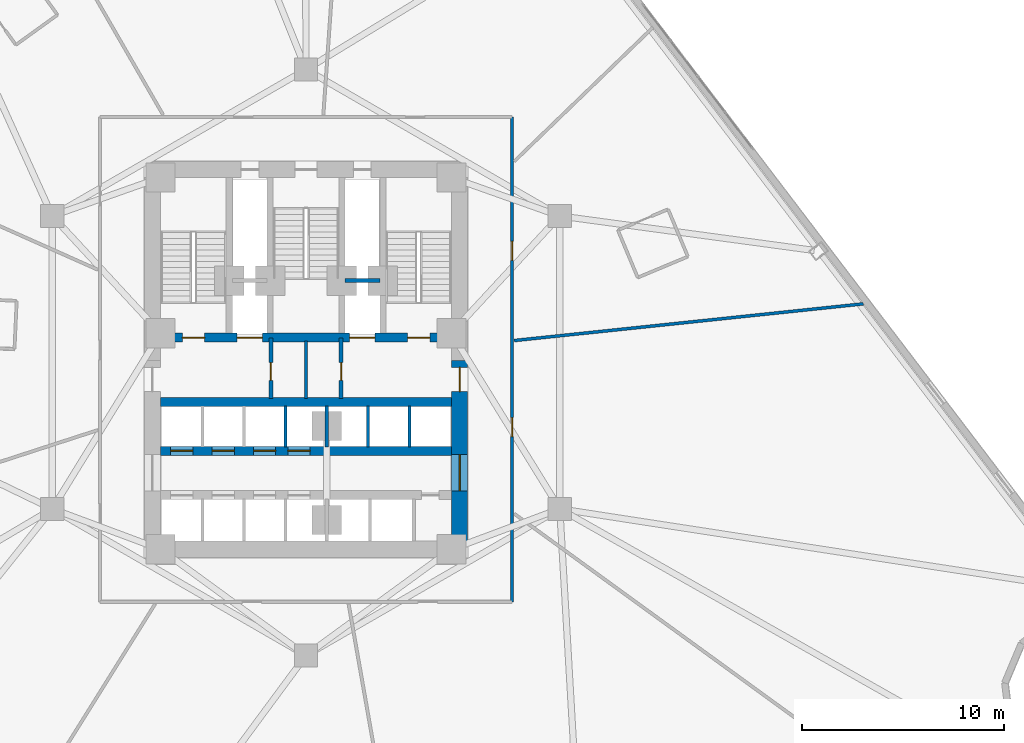
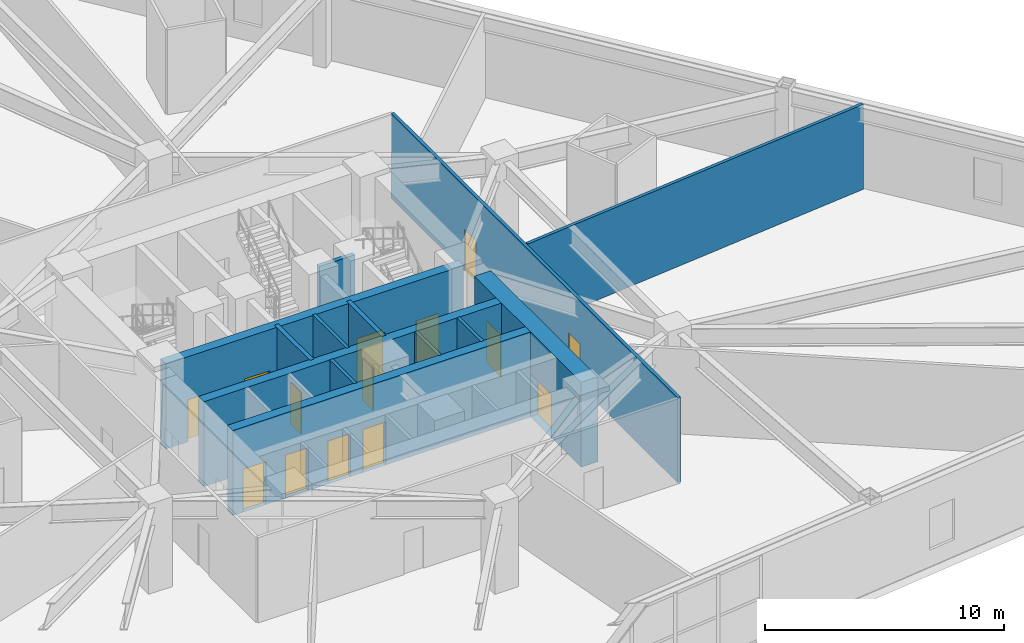
# One storey, part 13 of 21: 14 doors, 14 walls, 14 openings.
"""IFC4 building model written with IfcOpenShell, lengths in metres."""

from ifc_helpers import new_model, si_unit, direction, frame, frame_2d, origin, place, context, subcontext, project, spatial, rectangle, extrude, material, layer, layer_set, type_object, element, fill, save


model = new_model("IFC4")

# Units and contexts
model_context = context("Model", 3, precision=1e-05, world=origin(), true_north=direction((0.0, 1.0)))
body_context = subcontext(model_context, "Body", "Model", "MODEL_VIEW")
ifc_project = project(units=[si_unit("LENGTHUNIT", "METRE"), si_unit("AREAUNIT", "SQUARE_METRE"), si_unit("VOLUMEUNIT", "CUBIC_METRE"), si_unit("PLANEANGLEUNIT", "RADIAN"), si_unit("MASSUNIT", "GRAM", prefix="KILO")], contexts=[model_context])

# Site, building, storey
site_placement = place(None, origin())
site = spatial("IfcSite", under=ifc_project, at=site_placement, CompositionType="ELEMENT")
building_placement = place(site_placement, origin())
building = spatial("IfcBuilding", under=site, at=building_placement, Name="Apsidion Concourse Tower", CompositionType="ELEMENT")
storey_placement = place(building_placement, frame((0.0, 0.0, 62.39990234375)))
storey = spatial("IfcBuildingStorey", under=building, at=storey_placement, Name="L13", CompositionType="ELEMENT", Elevation=62.39990234375)

# Walls
ifc_material_1 = material(Name="Gypsum plasterboard partition")
ifc_layer_1 = layer(ifc_material_1, 0.14990234375)
ifc_layer_set_1 = layer_set([ifc_layer_1], Name="Gypsum plasterboard partition")
wall_type_1 = type_object("IfcWallType", Name="WL-INT-PAR-150", PredefinedType="PARTITIONING", material=ifc_layer_set_1)
for number, where, z_axis, x_axis, name in (
    (1, (-1.02490234375, -4.179931640625, 0.0), (0.0, 0.0, 1.0), (0.0, 1.0, 0.0), "L13 Interior Partition WL-L13-B1DIV-3"),
    (2, (3.074951171875, -4.179931640625, 0.0), (0.0, 0.0, 1.0), (0.0, 1.0, 0.0), "L13 Interior Partition WL-L13-B3DIV-1"),
    (3, (5.125, -4.179931640625, 0.0), (0.0, 0.0, 1.0), (0.0, 1.0, 0.0), "L13 Interior Partition WL-L13-B3DIV-2"),
):
    element("IfcWall", number, at=place(storey_placement, frame(where, z_axis=z_axis, x_axis=x_axis)), inside=storey, type_object=wall_type_1, Name=name, PredefinedType="PARTITIONING", context=body_context, shape_type="SweptSolid", body=[
        extrude(rectangle(XDim=2.030029296875, YDim=0.14990234375, at=frame_2d((1.01513671875, 0.0))), origin(), (0.0, 0.0, 1.0), 4.35009765625),
    ])
wall_1_placement = place(storey_placement, frame((0.0, -1.780029296875, 0.0), z_axis=(0.0, 0.0, 1.0), x_axis=(0.0, 1.0, 0.0)))
element("IfcWall", 4, at=wall_1_placement, inside=storey, type_object=wall_type_1, Name="L13 Interior Partition WL-L13-K3V", PredefinedType="PARTITIONING", context=body_context, shape_type="SweptSolid", body=[
    extrude(rectangle(XDim=2.830078125, YDim=0.14990234375, at=frame_2d((1.4150390625, 0.0))), origin(), (0.0, 0.0, 1.0), 4.35009765625),
])

# Wall, openings, doors
wall_2_placement = place(storey_placement, frame((10.199951171875, 12.14990234375, 0.0), z_axis=(0.0, 0.0, 1.0), x_axis=(0.0, -1.0, 0.0)))
wall_2 = element("IfcWall", 5, at=wall_2_placement, inside=storey, type_object=wall_type_1, Name="L13 Interior Partition WL-L13-CORR-02", PredefinedType="PARTITIONING", context=body_context, shape_type="SweptSolid", body=[
    extrude(rectangle(XDim=24.0, YDim=0.14990234375, at=frame_2d((12.0, 0.0))), origin(), (0.0, 0.0, 1.0), 4.35009765625),
])
opening_1_placement = place(wall_2_placement, frame((14.87548828125, 0.0, 0.0)))
opening_1 = element("IfcOpeningElement", 6, at=opening_1_placement, cuts=wall_2, Name="Opening D-01L", PredefinedType="OPENING", context=body_context, shape_type="SweptSolid", body=[
    extrude(rectangle(XDim=0.949951171875, YDim=2.14990234375, at=frame_2d((0.47509765625, 1.074951171875))), frame((0.0, 0.0849609375, 0.0), z_axis=(0.0, -1.0, 0.0), x_axis=(1.0, 0.0, 0.0)), (0.0, 0.0, 1.0), 0.169921875),
])
opening_2_placement = place(wall_2_placement, frame((6.15380859375, 0.0, 0.0)))
opening_2 = element("IfcOpeningElement", 7, at=opening_2_placement, cuts=wall_2, Name="Opening D-01R", PredefinedType="OPENING", context=body_context, shape_type="SweptSolid", body=[
    extrude(rectangle(XDim=0.949951171875, YDim=2.14990234375, at=frame_2d((0.47509765625, 1.074951171875))), frame((0.0, 0.0849609375, 0.0), z_axis=(0.0, -1.0, 0.0), x_axis=(1.0, 0.0, 0.0)), (0.0, 0.0, 1.0), 0.169921875),
])
ifc_material_2 = material(Name="Brushed stainless steel 316", Category="steel")
door_type_1 = type_object("IfcDoorType", Name="DR-INT-D01L", OperationType="SINGLE_SWING_LEFT", PredefinedType="DOOR", material=ifc_material_2)
door_1_placement = place(opening_1_placement, origin())
door_1 = element("IfcDoor", 8, at=door_1_placement, inside=storey, type_object=door_type_1, Name="L13 Corridor Entry Door 05", OperationType="SINGLE_SWING_LEFT", OverallHeight=2.14990234375, OverallWidth=0.949951171875, PredefinedType="DOOR", context=body_context, shape_type="SweptSolid", body=[
    extrude(rectangle(XDim=0.949951171875, YDim=2.14990234375, at=frame_2d((0.47509765625, 1.074951171875))), frame((0.0, 0.02490234375, 0.0), z_axis=(0.0, -1.0, 0.0), x_axis=(1.0, 0.0, 0.0)), (0.0, 0.0, 1.0), 0.050048828125),
])
fill(opening_1, door_1)
door_type_2 = type_object("IfcDoorType", Name="DR-INT-D01R", OperationType="SINGLE_SWING_RIGHT", PredefinedType="DOOR", material=ifc_material_2)
door_2_placement = place(opening_2_placement, origin())
door_2 = element("IfcDoor", 9, at=door_2_placement, inside=storey, type_object=door_type_2, Name="L13 Corridor Entry Door 06", OperationType="SINGLE_SWING_RIGHT", OverallHeight=2.14990234375, OverallWidth=0.949951171875, PredefinedType="DOOR", context=body_context, shape_type="SweptSolid", body=[
    extrude(rectangle(XDim=0.949951171875, YDim=2.14990234375, at=frame_2d((0.47509765625, 1.074951171875))), frame((0.0, 0.02490234375, 0.0), z_axis=(0.0, -1.0, 0.0), x_axis=(1.0, 0.0, 0.0)), (0.0, 0.0, 1.0), 0.050048828125),
])
fill(opening_2, door_2)

# Walls
wall_3_placement = place(storey_placement, frame((10.304931640625, 1.0830078125, 0.0), z_axis=(0.0, 0.0, 1.0), x_axis=(0.994521458831, 0.104532616559, 0.0)))
element("IfcWall", 10, at=wall_3_placement, inside=storey, type_object=wall_type_1, Name="L13 Interior Partition WL-L13-RAD-01-1", PredefinedType="PARTITIONING", context=body_context, shape_type="SweptSolid", body=[
    extrude(rectangle(XDim=17.371826171875, YDim=0.14990234375, at=frame_2d((8.68603515625, 0.0))), origin(), (0.0, 0.0, 1.0), 4.35009765625),
])
ifc_layer_2 = layer(ifc_material_1, 0.179931640625)
ifc_layer_set_2 = layer_set([ifc_layer_2], Name="Gypsum plasterboard partition")
wall_type_2 = type_object("IfcWallType", Name="WL-INT-PAR-180", PredefinedType="PARTITIONING", material=ifc_layer_set_2)
wall_4_placement = place(storey_placement, frame((1.02490234375, -4.179931640625, 0.0), z_axis=(0.0, 0.0, 1.0), x_axis=(0.0, 1.0, 0.0)))
element("IfcWall", 11, at=wall_4_placement, inside=storey, type_object=wall_type_2, Name="L13 Interior Partition WL-L13-B1END", PredefinedType="PARTITIONING", context=body_context, shape_type="SweptSolid", body=[
    extrude(rectangle(XDim=2.030029296875, YDim=0.179931640625, at=frame_2d((1.01513671875, 0.0))), origin(), (0.0, 0.0, 1.0), 3.398193359375),
])
ifc_layer_3 = layer(ifc_material_1, 0.199951171875)
ifc_layer_set_3 = layer_set([ifc_layer_3], Name="Gypsum plasterboard partition")
wall_type_3 = type_object("IfcWallType", Name="WL-INT-PAR-200", PredefinedType="PARTITIONING", material=ifc_layer_set_3)
wall_5_placement = place(storey_placement, frame((1.919921875, 4.050048828125, 0.0), z_axis=(0.0, 0.0, 1.0), x_axis=(1.0, 0.0, 0.0)))
element("IfcWall", 12, at=wall_5_placement, inside=storey, type_object=wall_type_3, Name="L13 Interior Partition WL-L13-FF2-N", PredefinedType="PARTITIONING", context=body_context, shape_type="SweptSolid", body=[
    extrude(rectangle(XDim=1.72998046875, YDim=0.199951171875, at=frame_2d((0.864990234375, 0.0))), origin(), (0.0, 0.0, 1.0), 4.35009765625),
])

# Wall, opening, door
wall_6_placement = place(storey_placement, frame((-1.739990234375, -1.780029296875, 0.0), z_axis=(0.0, 0.0, 1.0), x_axis=(0.0, 1.0, 0.0)))
wall_6 = element("IfcWall", 13, at=wall_6_placement, inside=storey, type_object=wall_type_3, Name="L13 Interior Partition WL-L13-FF1-E", PredefinedType="PARTITIONING", context=body_context, shape_type="SweptSolid", body=[
    extrude(rectangle(XDim=2.97998046875, YDim=0.199951171875, at=frame_2d((1.489990234375, 0.0))), origin(), (0.0, 0.0, 1.0), 4.35009765625),
])
opening_3_placement = place(wall_6_placement, frame((0.889892578125, 0.0, 0.0)))
opening_3 = element("IfcOpeningElement", 14, at=opening_3_placement, cuts=wall_6, Name="Opening D-05R", PredefinedType="OPENING", context=body_context, shape_type="SweptSolid", body=[
    extrude(rectangle(XDim=0.8798828125, YDim=2.14990234375, at=frame_2d((0.43994140625, 1.074951171875))), frame((0.0, 0.10986328125, 0.0), z_axis=(0.0, -1.0, 0.0), x_axis=(1.0, 0.0, 0.0)), (0.0, 0.0, 1.0), 0.219970703125),
])
door_type_3 = type_object("IfcDoorType", Name="DR-INT-D05R", OperationType="SINGLE_SWING_RIGHT", PredefinedType="DOOR", material=ifc_material_2)
door_3_placement = place(opening_3_placement, origin())
door_3 = element("IfcDoor", 15, at=door_3_placement, inside=storey, type_object=door_type_3, Name="L13 Core Pantry Door", OperationType="SINGLE_SWING_RIGHT", OverallHeight=2.14990234375, OverallWidth=0.8798828125, PredefinedType="DOOR", context=body_context, shape_type="SweptSolid", body=[
    extrude(rectangle(XDim=0.8798828125, YDim=2.14990234375, at=frame_2d((0.43994140625, 1.074951171875))), frame((0.0, 0.02490234375, 0.0), z_axis=(0.0, -1.0, 0.0), x_axis=(1.0, 0.0, 0.0)), (0.0, 0.0, 1.0), 0.050048828125),
])
fill(opening_3, door_3)

wall_7_placement = place(storey_placement, frame((1.739990234375, -1.780029296875, 0.0), z_axis=(0.0, 0.0, 1.0), x_axis=(0.0, 1.0, 0.0)))
wall_7 = element("IfcWall", 16, at=wall_7_placement, inside=storey, type_object=wall_type_3, Name="L13 Interior Partition WL-L13-FF2-W", PredefinedType="PARTITIONING", context=body_context, shape_type="SweptSolid", body=[
    extrude(rectangle(XDim=2.97998046875, YDim=0.199951171875, at=frame_2d((1.489990234375, 0.0))), origin(), (0.0, 0.0, 1.0), 4.35009765625),
])
opening_4_placement = place(wall_7_placement, frame((0.889892578125, 0.0, 0.0)))
opening_4 = element("IfcOpeningElement", 17, at=opening_4_placement, cuts=wall_7, Name="Opening D-05L", PredefinedType="OPENING", context=body_context, shape_type="SweptSolid", body=[
    extrude(rectangle(XDim=0.8798828125, YDim=2.14990234375, at=frame_2d((0.43994140625, 1.074951171875))), frame((0.0, 0.10986328125, 0.0), z_axis=(0.0, -1.0, 0.0), x_axis=(1.0, 0.0, 0.0)), (0.0, 0.0, 1.0), 0.219970703125),
])
door_type_4 = type_object("IfcDoorType", Name="DR-INT-D05L", OperationType="SINGLE_SWING_LEFT", PredefinedType="DOOR", material=ifc_material_2)
door_4_placement = place(opening_4_placement, origin())
door_4 = element("IfcDoor", 18, at=door_4_placement, inside=storey, type_object=door_type_4, Name="L13 Core Electrical Door", OperationType="SINGLE_SWING_LEFT", OverallHeight=2.14990234375, OverallWidth=0.8798828125, PredefinedType="DOOR", context=body_context, shape_type="SweptSolid", body=[
    extrude(rectangle(XDim=0.8798828125, YDim=2.14990234375, at=frame_2d((0.43994140625, 1.074951171875))), frame((0.0, 0.02490234375, 0.0), z_axis=(0.0, -1.0, 0.0), x_axis=(1.0, 0.0, 0.0)), (0.0, 0.0, 1.0), 0.050048828125),
])
fill(opening_4, door_4)

# Wall, openings, doors
ifc_material_3 = material(Name="Concrete C60/75", Category="concrete")
ifc_layer_4 = layer(ifc_material_3, 0.449951171875)
ifc_layer_set_4 = layer_set([ifc_layer_4], Name="Concrete C60/75")
wall_type_4 = type_object("IfcWallType", Name="WL-SH-450", PredefinedType="SHEAR", material=ifc_layer_set_4)
wall_8_placement = place(storey_placement, frame((-7.199951171875, 1.22509765625, 0.0), z_axis=(0.0, 0.0, 1.0), x_axis=(1.0, 0.0, 0.0)))
wall_8 = element("IfcWall", 19, at=wall_8_placement, inside=storey, type_object=wall_type_4, Name="L13 Central Core Shear Wall M1", PredefinedType="SHEAR", context=body_context, shape_type="SweptSolid", body=[
    extrude(rectangle(XDim=14.39990234375, YDim=0.449951171875, at=frame_2d((7.199951171875, 0.0))), origin(), (0.0, 0.0, 1.0), 4.35009765625),
])
opening_5_placement = place(wall_8_placement, frame((3.794921875, 0.0, 0.0)))
opening_5 = element("IfcOpeningElement", 20, at=opening_5_placement, cuts=wall_8, Name="Opening LD-FF", PredefinedType="OPENING", context=body_context, shape_type="SweptSolid", body=[
    extrude(rectangle(XDim=1.25, YDim=2.25, at=frame_2d((0.625, 1.125))), frame((0.0, 0.23486328125, 0.0), z_axis=(0.0, -1.0, 0.0), x_axis=(1.0, 0.0, 0.0)), (0.0, 0.0, 1.0), 0.469970703125),
])
opening_6_placement = place(wall_8_placement, frame((9.35498046875, 0.0, 0.0)))
opening_6 = element("IfcOpeningElement", 21, at=opening_6_placement, cuts=wall_8, Name="Opening LD-FF", PredefinedType="OPENING", context=body_context, shape_type="SweptSolid", body=[
    extrude(rectangle(XDim=1.25, YDim=2.25, at=frame_2d((0.625, 1.125))), frame((0.0, 0.23486328125, 0.0), z_axis=(0.0, -1.0, 0.0), x_axis=(1.0, 0.0, 0.0)), (0.0, 0.0, 1.0), 0.469970703125),
])
opening_7_placement = place(wall_8_placement, frame((1.074951171875, 0.0, 0.0)))
opening_7 = element("IfcOpeningElement", 22, at=opening_7_placement, cuts=wall_8, Name="Opening D-STL", PredefinedType="OPENING", context=body_context, shape_type="SweptSolid", body=[
    extrude(rectangle(XDim=1.10009765625, YDim=2.14990234375, at=frame_2d((0.550048828125, 1.074951171875))), frame((0.0, 0.23486328125, 0.0), z_axis=(0.0, -1.0, 0.0), x_axis=(1.0, 0.0, 0.0)), (0.0, 0.0, 1.0), 0.469970703125),
])
opening_8_placement = place(wall_8_placement, frame((12.22509765625, 0.0, 0.0)))
opening_8 = element("IfcOpeningElement", 23, at=opening_8_placement, cuts=wall_8, Name="Opening D-STR", PredefinedType="OPENING", context=body_context, shape_type="SweptSolid", body=[
    extrude(rectangle(XDim=1.10009765625, YDim=2.14990234375, at=frame_2d((0.550048828125, 1.074951171875))), frame((0.0, 0.23486328125, 0.0), z_axis=(0.0, -1.0, 0.0), x_axis=(1.0, 0.0, 0.0)), (0.0, 0.0, 1.0), 0.469970703125),
])
door_type_5 = type_object("IfcDoorType", Name="DR-INT-ST1L", OperationType="SINGLE_SWING_LEFT", PredefinedType="DOOR", material=ifc_material_2)
door_5_placement = place(opening_7_placement, origin())
door_5 = element("IfcDoor", 24, at=door_5_placement, inside=storey, type_object=door_type_5, Name="L13 Core Exit Stair ST1 Door", OperationType="SINGLE_SWING_LEFT", OverallHeight=2.14990234375, OverallWidth=1.10009765625, PredefinedType="DOOR", context=body_context, shape_type="SweptSolid", body=[
    extrude(rectangle(XDim=1.10009765625, YDim=2.14990234375, at=frame_2d((0.550048828125, 1.074951171875))), frame((0.0, 0.02490234375, 0.0), z_axis=(0.0, -1.0, 0.0), x_axis=(1.0, 0.0, 0.0)), (0.0, 0.0, 1.0), 0.050048828125),
])
fill(opening_7, door_5)
door_type_6 = type_object("IfcDoorType", Name="DR-INT-ST1R", OperationType="SINGLE_SWING_RIGHT", PredefinedType="DOOR", material=ifc_material_2)
door_6_placement = place(opening_8_placement, origin())
door_6 = element("IfcDoor", 25, at=door_6_placement, inside=storey, type_object=door_type_6, Name="L13 Core Exit Stair ST2 Door", OperationType="SINGLE_SWING_RIGHT", OverallHeight=2.14990234375, OverallWidth=1.10009765625, PredefinedType="DOOR", context=body_context, shape_type="SweptSolid", body=[
    extrude(rectangle(XDim=1.10009765625, YDim=2.14990234375, at=frame_2d((0.550048828125, 1.074951171875))), frame((0.0, 0.02490234375, 0.0), z_axis=(0.0, -1.0, 0.0), x_axis=(1.0, 0.0, 0.0)), (0.0, 0.0, 1.0), 0.050048828125),
])
fill(opening_8, door_6)
door_type_7 = type_object("IfcDoorType", Name="DR-LD-FSAE", OperationType="DOUBLE_DOOR_SLIDING", PredefinedType="DOOR", material=ifc_material_2)
door_7_placement = place(opening_5_placement, origin())
door_7 = element("IfcDoor", 26, at=door_7_placement, inside=storey, type_object=door_type_7, Name="L13 Lift Landing Door FF1", OperationType="DOUBLE_DOOR_SLIDING", OverallHeight=2.25, OverallWidth=1.25, PredefinedType="DOOR", context=body_context, shape_type="SweptSolid", body=[
    extrude(rectangle(XDim=1.25, YDim=2.25, at=frame_2d((0.625, 1.125))), frame((0.0, 0.02490234375, 0.0), z_axis=(0.0, -1.0, 0.0), x_axis=(1.0, 0.0, 0.0)), (0.0, 0.0, 1.0), 0.050048828125),
])
fill(opening_5, door_7)
door_8_placement = place(opening_6_placement, origin())
door_8 = element("IfcDoor", 27, at=door_8_placement, inside=storey, type_object=door_type_7, Name="L13 Lift Landing Door FF2", OperationType="DOUBLE_DOOR_SLIDING", OverallHeight=2.25, OverallWidth=1.25, PredefinedType="DOOR", context=body_context, shape_type="SweptSolid", body=[
    extrude(rectangle(XDim=1.25, YDim=2.25, at=frame_2d((0.625, 1.125))), frame((0.0, 0.02490234375, 0.0), z_axis=(0.0, -1.0, 0.0), x_axis=(1.0, 0.0, 0.0)), (0.0, 0.0, 1.0), 0.050048828125),
])
fill(opening_6, door_8)

# Wall
wall_9_placement = place(storey_placement, frame((-7.199951171875, -1.949951171875, 0.0), z_axis=(0.0, 0.0, 1.0), x_axis=(1.0, 0.0, 0.0)))
element("IfcWall", 28, at=wall_9_placement, inside=storey, type_object=wall_type_4, Name="L13 Central Core Shear Wall M2", PredefinedType="SHEAR", context=body_context, shape_type="SweptSolid", body=[
    extrude(rectangle(XDim=14.39990234375, YDim=0.449951171875, at=frame_2d((7.199951171875, 0.0))), origin(), (0.0, 0.0, 1.0), 4.35009765625),
])

# Wall, openings, doors
wall_10_placement = place(storey_placement, frame((-7.199951171875, -4.3798828125, 0.0), z_axis=(0.0, 0.0, 1.0), x_axis=(1.0, 0.0, 0.0)))
wall_10 = element("IfcWall", 29, at=wall_10_placement, inside=storey, type_object=wall_type_4, Name="L13 Central Core Shear Wall LA", PredefinedType="SHEAR", context=body_context, shape_type="SweptSolid", body=[
    extrude(rectangle(XDim=14.39990234375, YDim=0.449951171875, at=frame_2d((7.199951171875, 0.0))), origin(), (0.0, 0.0, 1.0), 4.35009765625),
])
opening_9_placement = place(wall_10_placement, frame((0.5, 0.0, 0.0)))
opening_9 = element("IfcOpeningElement", 30, at=opening_9_placement, cuts=wall_10, Name="Opening LD-P1", PredefinedType="OPENING", context=body_context, shape_type="SweptSolid", body=[
    extrude(rectangle(XDim=1.10009765625, YDim=2.199951171875, at=frame_2d((0.550048828125, 1.10009765625))), frame((0.0, 0.23486328125, 0.0), z_axis=(0.0, -1.0, 0.0), x_axis=(1.0, 0.0, 0.0)), (0.0, 0.0, 1.0), 0.469970703125),
])
opening_10_placement = place(wall_10_placement, frame((2.550048828125, 0.0, 0.0)))
opening_10 = element("IfcOpeningElement", 31, at=opening_10_placement, cuts=wall_10, Name="Opening LD-P1", PredefinedType="OPENING", context=body_context, shape_type="SweptSolid", body=[
    extrude(rectangle(XDim=1.10009765625, YDim=2.199951171875, at=frame_2d((0.550048828125, 1.10009765625))), frame((0.0, 0.23486328125, 0.0), z_axis=(0.0, -1.0, 0.0), x_axis=(1.0, 0.0, 0.0)), (0.0, 0.0, 1.0), 0.469970703125),
])
opening_11_placement = place(wall_10_placement, frame((4.60009765625, 0.0, 0.0)))
opening_11 = element("IfcOpeningElement", 32, at=opening_11_placement, cuts=wall_10, Name="Opening LD-P1", PredefinedType="OPENING", context=body_context, shape_type="SweptSolid", body=[
    extrude(rectangle(XDim=1.10009765625, YDim=2.199951171875, at=frame_2d((0.550048828125, 1.10009765625))), frame((0.0, 0.23486328125, 0.0), z_axis=(0.0, -1.0, 0.0), x_axis=(1.0, 0.0, 0.0)), (0.0, 0.0, 1.0), 0.469970703125),
])
opening_12_placement = place(wall_10_placement, frame((6.300048828125, 0.0, 0.0)))
opening_12 = element("IfcOpeningElement", 33, at=opening_12_placement, cuts=wall_10, Name="Opening LD-P1", PredefinedType="OPENING", context=body_context, shape_type="SweptSolid", body=[
    extrude(rectangle(XDim=1.10009765625, YDim=2.199951171875, at=frame_2d((0.550048828125, 1.10009765625))), frame((0.0, 0.23486328125, 0.0), z_axis=(0.0, -1.0, 0.0), x_axis=(1.0, 0.0, 0.0)), (0.0, 0.0, 1.0), 0.469970703125),
])
door_type_8 = type_object("IfcDoorType", Name="DR-LD-PASS", OperationType="DOUBLE_DOOR_SLIDING", PredefinedType="DOOR", material=ifc_material_2)
door_9_placement = place(opening_9_placement, origin())
door_9 = element("IfcDoor", 34, at=door_9_placement, inside=storey, type_object=door_type_8, Name="L13 Lift Landing Door P1", OperationType="DOUBLE_DOOR_SLIDING", OverallHeight=2.199951171875, OverallWidth=1.10009765625, PredefinedType="DOOR", context=body_context, shape_type="SweptSolid", body=[
    extrude(rectangle(XDim=1.10009765625, YDim=2.199951171875, at=frame_2d((0.550048828125, 1.10009765625))), frame((0.0, 0.02490234375, 0.0), z_axis=(0.0, -1.0, 0.0), x_axis=(1.0, 0.0, 0.0)), (0.0, 0.0, 1.0), 0.050048828125),
])
fill(opening_9, door_9)
door_10_placement = place(opening_10_placement, origin())
door_10 = element("IfcDoor", 35, at=door_10_placement, inside=storey, type_object=door_type_8, Name="L13 Lift Landing Door P2", OperationType="DOUBLE_DOOR_SLIDING", OverallHeight=2.199951171875, OverallWidth=1.10009765625, PredefinedType="DOOR", context=body_context, shape_type="SweptSolid", body=[
    extrude(rectangle(XDim=1.10009765625, YDim=2.199951171875, at=frame_2d((0.550048828125, 1.10009765625))), frame((0.0, 0.02490234375, 0.0), z_axis=(0.0, -1.0, 0.0), x_axis=(1.0, 0.0, 0.0)), (0.0, 0.0, 1.0), 0.050048828125),
])
fill(opening_10, door_10)
door_11_placement = place(opening_11_placement, origin())
door_11 = element("IfcDoor", 36, at=door_11_placement, inside=storey, type_object=door_type_8, Name="L13 Lift Landing Door P3", OperationType="DOUBLE_DOOR_SLIDING", OverallHeight=2.199951171875, OverallWidth=1.10009765625, PredefinedType="DOOR", context=body_context, shape_type="SweptSolid", body=[
    extrude(rectangle(XDim=1.10009765625, YDim=2.199951171875, at=frame_2d((0.550048828125, 1.10009765625))), frame((0.0, 0.02490234375, 0.0), z_axis=(0.0, -1.0, 0.0), x_axis=(1.0, 0.0, 0.0)), (0.0, 0.0, 1.0), 0.050048828125),
])
fill(opening_11, door_11)
door_12_placement = place(opening_12_placement, origin())
door_12 = element("IfcDoor", 37, at=door_12_placement, inside=storey, type_object=door_type_8, Name="L13 Lift Landing Door P4", OperationType="DOUBLE_DOOR_SLIDING", OverallHeight=2.199951171875, OverallWidth=1.10009765625, PredefinedType="DOOR", context=body_context, shape_type="SweptSolid", body=[
    extrude(rectangle(XDim=1.10009765625, YDim=2.199951171875, at=frame_2d((0.550048828125, 1.10009765625))), frame((0.0, 0.02490234375, 0.0), z_axis=(0.0, -1.0, 0.0), x_axis=(1.0, 0.0, 0.0)), (0.0, 0.0, 1.0), 0.050048828125),
])
fill(opening_12, door_12)

ifc_layer_5 = layer(ifc_material_3, 0.800048828125)
ifc_layer_set_5 = layer_set([ifc_layer_5], Name="Concrete C60/75")
wall_type_5 = type_object("IfcWallType", Name="WL-SH-800", PredefinedType="SHEAR", material=ifc_layer_set_5)
wall_11_placement = place(storey_placement, frame((7.60009765625, -8.85009765625, 0.0), z_axis=(0.0, 0.0, 1.0), x_axis=(0.0, 1.0, 0.0)))
wall_11 = element("IfcWall", 38, at=wall_11_placement, inside=storey, type_object=wall_type_5, Name="L13 Central Core Shear Wall ES", PredefinedType="SHEAR", context=body_context, shape_type="SweptSolid", body=[
    extrude(rectangle(XDim=8.9501953125, YDim=0.800048828125, at=frame_2d((4.47509765625, 0.0))), origin(), (0.0, 0.0, 1.0), 4.35009765625),
])
opening_13_placement = place(wall_11_placement, frame((2.489990234375, 0.0, 0.0)))
opening_13 = element("IfcOpeningElement", 39, at=opening_13_placement, cuts=wall_11, Name="Opening D-06D", PredefinedType="OPENING", context=body_context, shape_type="SweptSolid", body=[
    extrude(rectangle(XDim=1.800048828125, YDim=2.199951171875, at=frame_2d((0.89990234375, 1.10009765625))), frame((0.0, 0.41015625, 0.0), z_axis=(0.0, -1.0, 0.0), x_axis=(1.0, 0.0, 0.0)), (0.0, 0.0, 1.0), 0.820068359375),
])
opening_14_placement = place(wall_11_placement, frame((7.39990234375, 0.0, 0.0)))
opening_14 = element("IfcOpeningElement", 40, at=opening_14_placement, cuts=wall_11, Name="Opening D-FFR", PredefinedType="OPENING", context=body_context, shape_type="SweptSolid", body=[
    extrude(rectangle(XDim=1.199951171875, YDim=2.14990234375, at=frame_2d((0.60009765625, 1.074951171875))), frame((0.0, 0.41015625, 0.0), z_axis=(0.0, -1.0, 0.0), x_axis=(1.0, 0.0, 0.0)), (0.0, 0.0, 1.0), 0.820068359375),
])
door_type_9 = type_object("IfcDoorType", Name="DR-INT-D06D", OperationType="DOUBLE_DOOR_SINGLE_SWING", PredefinedType="DOOR", material=ifc_material_2)
door_13_placement = place(opening_13_placement, origin())
door_13 = element("IfcDoor", 41, at=door_13_placement, inside=storey, type_object=door_type_9, Name="L13 Passenger Lift Lobby ES Portal Door", OperationType="DOUBLE_DOOR_SINGLE_SWING", OverallHeight=2.199951171875, OverallWidth=1.800048828125, PredefinedType="DOOR", context=body_context, shape_type="SweptSolid", body=[
    extrude(rectangle(XDim=1.800048828125, YDim=2.199951171875, at=frame_2d((0.89990234375, 1.10009765625))), frame((0.0, 0.02490234375, 0.0), z_axis=(0.0, -1.0, 0.0), x_axis=(1.0, 0.0, 0.0)), (0.0, 0.0, 1.0), 0.050048828125),
])
fill(opening_13, door_13)
door_type_10 = type_object("IfcDoorType", Name="DR-INT-FFR", OperationType="SINGLE_SWING_RIGHT", PredefinedType="DOOR", material=ifc_material_2)
door_14_placement = place(opening_14_placement, origin())
door_14 = element("IfcDoor", 42, at=door_14_placement, inside=storey, type_object=door_type_10, Name="L13 Firefighting Lift Lobby FF2 Door", OperationType="SINGLE_SWING_RIGHT", OverallHeight=2.14990234375, OverallWidth=1.199951171875, PredefinedType="DOOR", context=body_context, shape_type="SweptSolid", body=[
    extrude(rectangle(XDim=1.199951171875, YDim=2.14990234375, at=frame_2d((0.60009765625, 1.074951171875))), frame((0.0, 0.02490234375, 0.0), z_axis=(0.0, -1.0, 0.0), x_axis=(1.0, 0.0, 0.0)), (0.0, 0.0, 1.0), 0.050048828125),
])
fill(opening_14, door_14)

save(model, "model.ifc")
